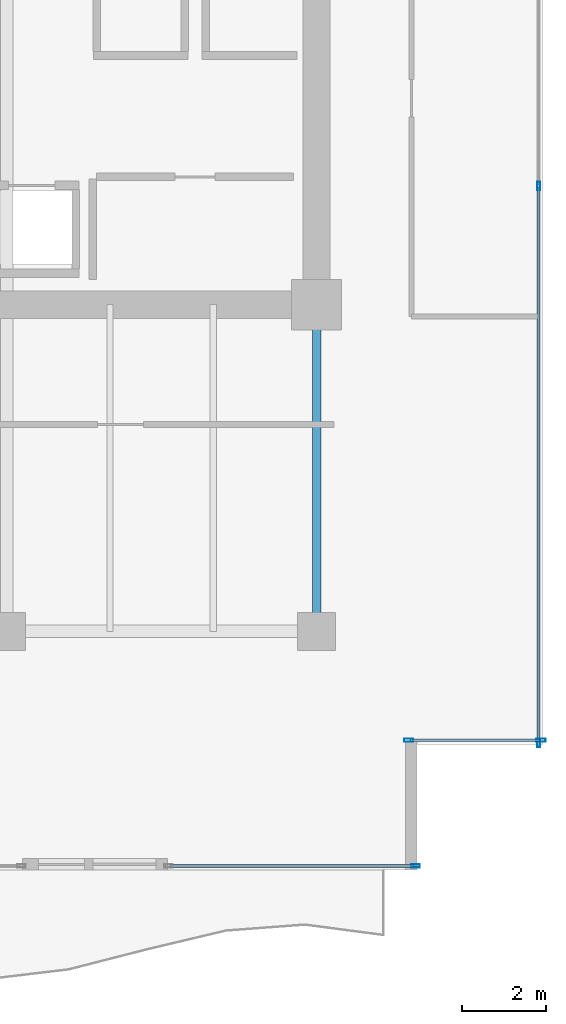
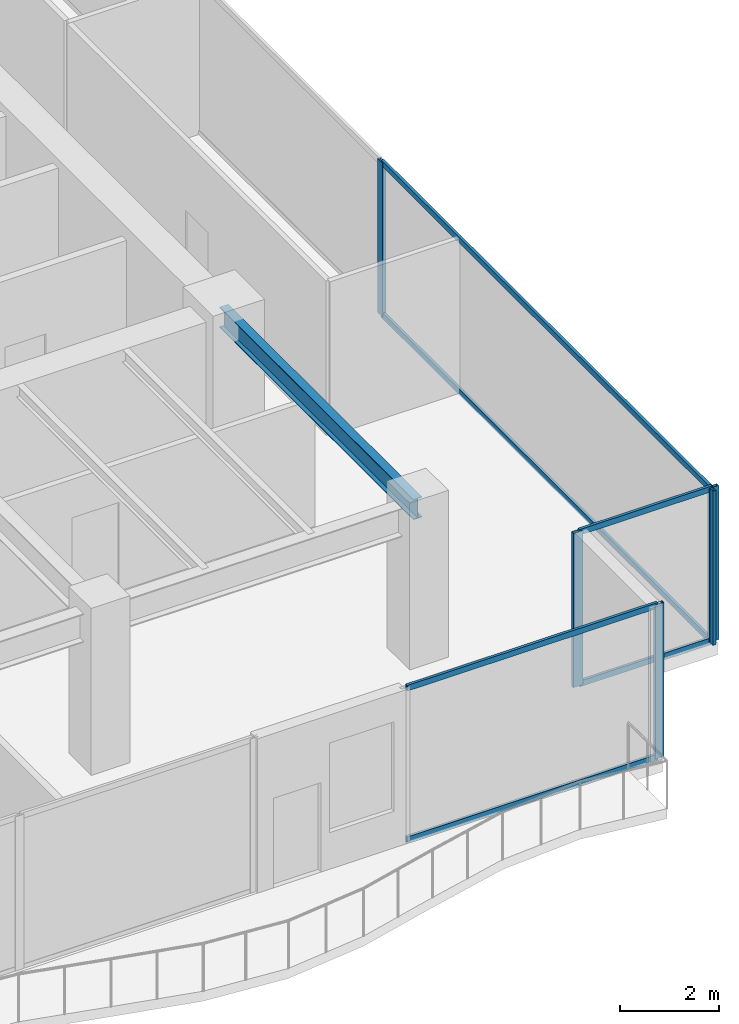
# One storey, part 19 of 30: 11 members, 1 beam, 3 elements without a shape of their own.
"""IFC4 building model written with IfcOpenShell, lengths in metres."""

from ifc_helpers import new_model, si_unit, direction, frame, origin, origin_2d, place, context, subcontext, project, spatial, hollow_rectangle, i_section, extrude, source, transform, mapped, material, layer, layer_set, material_profile, profile_set, type_object, type_shapes, element, aggregate, save


model = new_model("IFC4")

# Units and contexts
model_context = context("Model", 3, precision=1e-05, world=origin(), true_north=direction((0.0, 1.0)))
body_context = subcontext(model_context, "Body", "Model", "MODEL_VIEW")
ifc_project = project(units=[si_unit("LENGTHUNIT", "METRE"), si_unit("AREAUNIT", "SQUARE_METRE"), si_unit("VOLUMEUNIT", "CUBIC_METRE"), si_unit("PLANEANGLEUNIT", "RADIAN"), si_unit("MASSUNIT", "GRAM", prefix="KILO")], contexts=[model_context])

# Site, building, storey
site_placement = place(None, origin())
site = spatial("IfcSite", under=ifc_project, at=site_placement, CompositionType="ELEMENT")
building_placement = place(site_placement, origin())
building = spatial("IfcBuilding", under=site, at=building_placement, Name="Haelvirn Gate Laboratories", CompositionType="ELEMENT")
storey_placement = place(building_placement, frame((0.0, 0.0, 113.300048828125)))
storey = spatial("IfcBuildingStorey", under=building, at=storey_placement, Name="L27", CompositionType="ELEMENT", Elevation=113.300048828125)

# Beam
ifc_material_1 = material(Name="Steel SM355", Category="steel")
ifc_material_profile_1 = material_profile(ifc_material_1, i_section(OverallWidth=0.199951171875, OverallDepth=0.5, WebThickness=0.010009765625, FlangeThickness=0.01611328125, at=origin_2d()), Name="H-500x200x10x16")
ifc_profile_set_1 = profile_set([ifc_material_profile_1], Name="Steel SM355")
beam_type = type_object("IfcBeamType", Name="BM-SP-500", PredefinedType="SPANDREL", material=ifc_profile_set_1)
shared_shape_1 = source(origin(), body_context, "Body", "SweptSolid", [
    extrude(i_section(OverallWidth=0.199951171875, OverallDepth=0.5, WebThickness=0.010009765625, FlangeThickness=0.01611328125, at=origin_2d()), origin(), (0.0, 0.0, 1.0), 7.800048828125),
])
type_shapes(beam_type, [shared_shape_1])
beam_placement = place(storey_placement, frame((67.39990234375, 7.0, 3.5400390625), z_axis=(0.0, 1.0, 0.0), x_axis=(-1.0, 0.0, 0.0)))
element("IfcBeam", 1, at=beam_placement, inside=storey, type_object=beam_type, Name="L27 Perimeter Spandrel X67.4 (7.0-14.8)", PredefinedType="SPANDREL", context=body_context, shape_type="MappedRepresentation", body=[
    mapped(shared_shape_1, transform((0.0, 0.0, 0.0), scale=1.0)),
])

# Curtain wall, members
ifc_material_2 = material(Name="Anodised bronze unitised aluminium & triple low-E glass", Category="aluminium")
ifc_layer_1 = layer(ifc_material_2, 0.181884765625, Name="CW-SYS-5")
ifc_layer_set_1 = layer_set([ifc_layer_1], Name="Anodised bronze unitised aluminium & triple low-E glass")
curtain_wall_type_1 = type_object("IfcCurtainWallType", Name="CW-SYS-5", PredefinedType="NOTDEFINED", material=ifc_layer_set_1)
curtain_wall_1_placement = place(storey_placement, origin())
curtain_wall_1 = element("IfcCurtainWall", 2, at=curtain_wall_1_placement, inside=storey, type_object=curtain_wall_type_1, Name="L27 Unitised Curtain Wall CW-L27-P0-E06-1", PredefinedType="NOTDEFINED")
ifc_material_3 = material(Name="Extruded aluminium 6063-T6 (anodised bronze)", Category="aluminium")
ifc_material_profile_2 = material_profile(ifc_material_3, hollow_rectangle(XDim=0.06494140625, YDim=0.139892578125, WallThickness=0.00390625, at=origin_2d()), Name="CWT-140x65x4")
ifc_profile_set_2 = profile_set([ifc_material_profile_2], Name="Extruded aluminium 6063-T6 (anodised bronze)")
member_type_1 = type_object("IfcMemberType", Name="CWT-T140", PredefinedType="USERDEFINED", material=ifc_profile_set_2)
shared_shape_2 = source(origin(), body_context, "Body", "SweptSolid", [
    extrude(hollow_rectangle(XDim=0.06494140625, YDim=0.139892578125, WallThickness=0.00390625, at=origin_2d()), origin(), (0.0, 0.0, 1.0), 3.080078125),
])
member_1_placement = place(storey_placement, frame((69.639892578125, 4.39990234375, 0.032470703125), z_axis=(1.0, 0.0, 0.0), x_axis=(0.0, 1.0, 0.0)))
member_1 = element("IfcMember", 3, at=member_1_placement, type_object=member_type_1, Name="CW5 transom 1.1", ObjectType="TRANSOM", PredefinedType="USERDEFINED", context=body_context, shape_type="MappedRepresentation", body=[
    mapped(shared_shape_2, transform((0.0, 0.0, 0.0), scale=1.0)),
])
member_2_placement = place(storey_placement, frame((69.639892578125, 4.39990234375, 3.757568359375), z_axis=(1.0, 0.0, 0.0), x_axis=(0.0, 1.0, 0.0)))
member_2 = element("IfcMember", 4, at=member_2_placement, type_object=member_type_1, Name="CW5 transom 1.2", ObjectType="TRANSOM", PredefinedType="USERDEFINED", context=body_context, shape_type="MappedRepresentation", body=[
    mapped(shared_shape_2, transform((0.0, 0.0, 0.0), scale=1.0)),
])

ifc_layer_2 = layer(ifc_material_2, 0.179931640625, Name="CW-SYS-3")
ifc_layer_set_2 = layer_set([ifc_layer_2], Name="Anodised bronze unitised aluminium & triple low-E glass")
curtain_wall_type_2 = type_object("IfcCurtainWallType", Name="CW-SYS-3", PredefinedType="NOTDEFINED", material=ifc_layer_set_2)
curtain_wall_2_placement = place(storey_placement, origin())
curtain_wall_2 = element("IfcCurtainWall", 5, at=curtain_wall_2_placement, inside=storey, type_object=curtain_wall_type_2, Name="L27 Unitised Curtain Wall CW-L27-P0-E07", PredefinedType="NOTDEFINED")
shared_shape_3 = source(origin(), body_context, "Body", "SweptSolid", [
    extrude(hollow_rectangle(XDim=0.06494140625, YDim=0.139892578125, WallThickness=0.00390625, at=origin_2d()), origin(), (0.0, 0.0, 1.0), 13.220947265625),
])
member_3_placement = place(storey_placement, frame((72.699951171875, 4.375, 0.032470703125), z_axis=(0.0, 1.0, 0.0), x_axis=(-1.0, 0.0, 0.0)))
member_3 = element("IfcMember", 6, at=member_3_placement, type_object=member_type_1, Name="CW3 transom 1.1", ObjectType="TRANSOM", PredefinedType="USERDEFINED", context=body_context, shape_type="MappedRepresentation", body=[
    mapped(shared_shape_3, transform((0.0, 0.0, 0.0), scale=1.0)),
])
member_4_placement = place(storey_placement, frame((72.699951171875, 4.375, 3.757568359375), z_axis=(0.0, 1.0, 0.0), x_axis=(-1.0, 0.0, 0.0)))
member_4 = element("IfcMember", 7, at=member_4_placement, type_object=member_type_1, Name="CW3 transom 1.2", ObjectType="TRANSOM", PredefinedType="USERDEFINED", context=body_context, shape_type="MappedRepresentation", body=[
    mapped(shared_shape_3, transform((0.0, 0.0, 0.0), scale=1.0)),
])

# Curtain wall, member
curtain_wall_3_placement = place(storey_placement, origin())
curtain_wall_3 = element("IfcCurtainWall", 8, at=curtain_wall_3_placement, inside=storey, type_object=curtain_wall_type_2, Name="L27 Unitised Curtain Wall CW-L27-P0-E04-2", PredefinedType="NOTDEFINED")
ifc_material_profile_3 = material_profile(ifc_material_3, hollow_rectangle(XDim=0.074951171875, YDim=0.199951171875, WallThickness=0.0048828125, at=origin_2d()), Name="CWM-200x75x5")
ifc_profile_set_3 = profile_set([ifc_material_profile_3], Name="Extruded aluminium 6063-T6 (anodised bronze)")
member_type_2 = type_object("IfcMemberType", Name="CWM-T200", PredefinedType="MULLION", material=ifc_profile_set_3)
shared_shape_4 = source(origin(), body_context, "Body", "SweptSolid", [
    extrude(hollow_rectangle(XDim=0.074951171875, YDim=0.199951171875, WallThickness=0.0048828125, at=origin_2d()), origin(), (0.0, 0.0, 1.0), 3.7900390625),
])
type_shapes(member_type_2, [shared_shape_4])
member_5_placement = place(storey_placement, frame((69.762451171875, 1.39990234375, 0.0), z_axis=(0.0, 0.0, 1.0), x_axis=(0.0, 1.0, 0.0)))
member_5 = element("IfcMember", 9, at=member_5_placement, type_object=member_type_2, Name="CW3 mullion 2", PredefinedType="MULLION", context=body_context, shape_type="MappedRepresentation", body=[
    mapped(shared_shape_4, transform((0.0, 0.0, 0.0), scale=1.0)),
])

# Member
member_6_placement = place(storey_placement, frame((72.699951171875, 4.33740234375, 0.0), z_axis=(0.0, 0.0, 1.0), x_axis=(-1.0, 0.0, 0.0)))
member_6 = element("IfcMember", 10, at=member_6_placement, type_object=member_type_2, Name="CW3 mullion 1", PredefinedType="MULLION", context=body_context, shape_type="MappedRepresentation", body=[
    mapped(shared_shape_4, transform((0.0, 0.0, 0.0), scale=1.0)),
])

member_7_placement = place(storey_placement, frame((72.699951171875, 17.63330078125, 0.0), z_axis=(0.0, 0.0, 1.0), x_axis=(-1.0, 0.0, 0.0)))
member_7 = element("IfcMember", 11, at=member_7_placement, type_object=member_type_2, Name="CW3 mullion 2", PredefinedType="MULLION", context=body_context, shape_type="MappedRepresentation", body=[
    mapped(shared_shape_4, transform((0.0, 0.0, 0.0), scale=1.0)),
])

aggregate(curtain_wall_2, [member_6, member_7, member_3, member_4])

ifc_material_profile_4 = material_profile(ifc_material_3, hollow_rectangle(XDim=0.080078125, YDim=0.219970703125, WallThickness=0.006103515625, at=origin_2d()), Name="CWM-220x80x6")
ifc_profile_set_4 = profile_set([ifc_material_profile_4], Name="Extruded aluminium 6063-T6 (anodised bronze)")
member_type_3 = type_object("IfcMemberType", Name="CWM-T220", PredefinedType="MULLION", material=ifc_profile_set_4)
shared_shape_5 = source(origin(), body_context, "Body", "SweptSolid", [
    extrude(hollow_rectangle(XDim=0.080078125, YDim=0.219970703125, WallThickness=0.006103515625, at=origin_2d()), origin(), (0.0, 0.0, 1.0), 3.7900390625),
])
type_shapes(member_type_3, [shared_shape_5])
member_8_placement = place(storey_placement, frame((69.60009765625, 4.39990234375, 0.0), z_axis=(0.0, 0.0, 1.0), x_axis=(0.0, 1.0, 0.0)))
member_8 = element("IfcMember", 12, at=member_8_placement, type_object=member_type_3, Name="CW5 mullion 1", PredefinedType="MULLION", context=body_context, shape_type="MappedRepresentation", body=[
    mapped(shared_shape_5, transform((0.0, 0.0, 0.0), scale=1.0)),
])

member_9_placement = place(storey_placement, frame((72.760009765625, 4.39990234375, 0.0), z_axis=(0.0, 0.0, 1.0), x_axis=(0.0, 1.0, 0.0)))
member_9 = element("IfcMember", 13, at=member_9_placement, type_object=member_type_3, Name="CW5 mullion 2", PredefinedType="MULLION", context=body_context, shape_type="MappedRepresentation", body=[
    mapped(shared_shape_5, transform((0.0, 0.0, 0.0), scale=1.0)),
])

aggregate(curtain_wall_1, [member_8, member_9, member_1, member_2])

shared_shape_6 = source(origin(), body_context, "Body", "SweptSolid", [
    extrude(hollow_rectangle(XDim=0.06494140625, YDim=0.139892578125, WallThickness=0.00390625, at=origin_2d()), origin(), (0.0, 0.0, 1.0), 5.820068359375),
])
type_shapes(member_type_1, [shared_shape_2, shared_shape_3, shared_shape_6])
member_10_placement = place(storey_placement, frame((63.905029296875, 1.39990234375, 0.032470703125), z_axis=(1.0, 0.0, 0.0), x_axis=(0.0, 1.0, 0.0)))
member_10 = element("IfcMember", 14, at=member_10_placement, type_object=member_type_1, Name="CW3 transom 1.1", ObjectType="TRANSOM", PredefinedType="USERDEFINED", context=body_context, shape_type="MappedRepresentation", body=[
    mapped(shared_shape_6, transform((0.0, 0.0, 0.0), scale=1.0)),
])

member_11_placement = place(storey_placement, frame((63.905029296875, 1.39990234375, 3.757568359375), z_axis=(1.0, 0.0, 0.0), x_axis=(0.0, 1.0, 0.0)))
member_11 = element("IfcMember", 15, at=member_11_placement, type_object=member_type_1, Name="CW3 transom 1.2", ObjectType="TRANSOM", PredefinedType="USERDEFINED", context=body_context, shape_type="MappedRepresentation", body=[
    mapped(shared_shape_6, transform((0.0, 0.0, 0.0), scale=1.0)),
])

aggregate(curtain_wall_3, [member_5, member_10, member_11])

save(model, "model.ifc")
